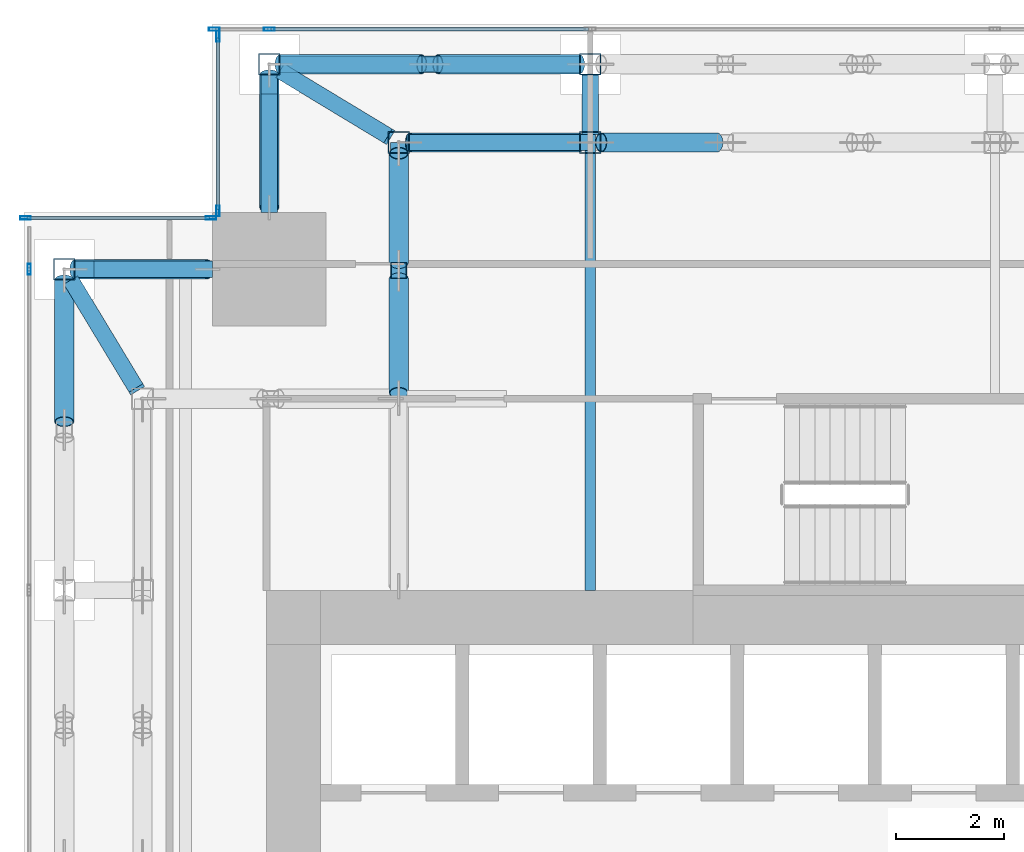
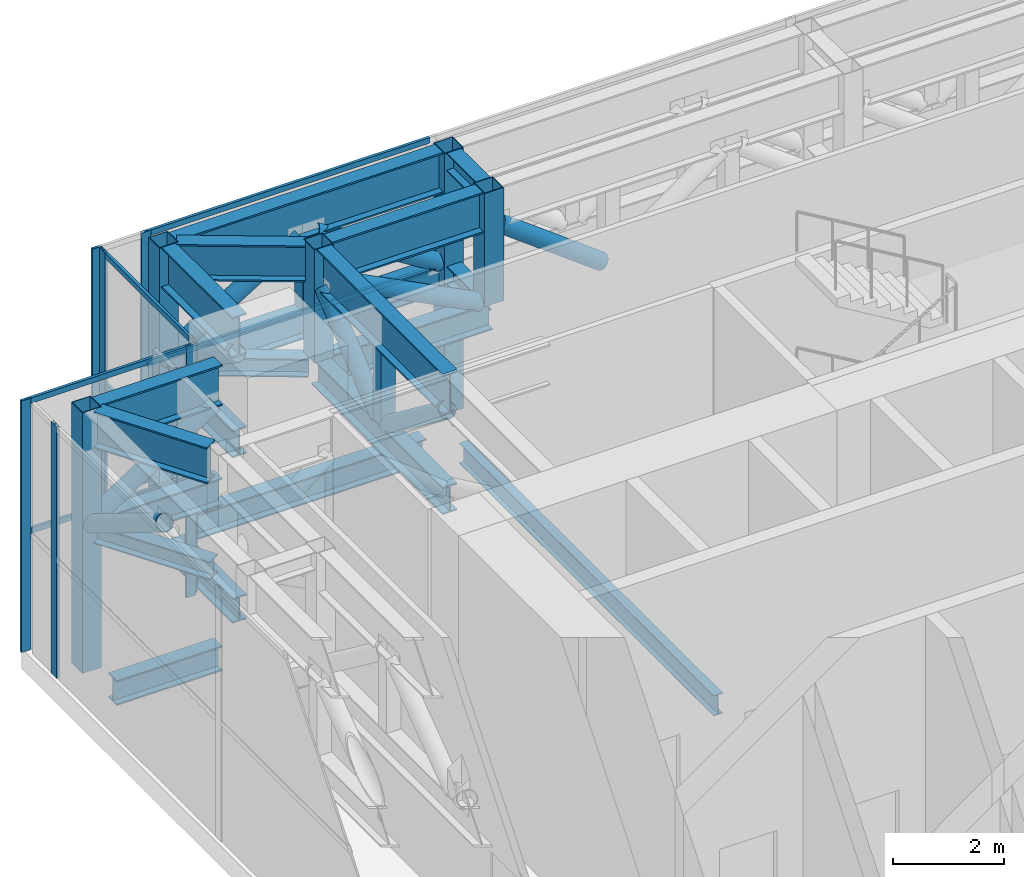
# One storey, part 21 of 47: 39 members, 10 beams, 4 elements without a shape of their own.
"""IFC4 building model written with IfcOpenShell, lengths in metres."""

from ifc_helpers import new_model, si_unit, direction, frame, origin, origin_2d, place, context, subcontext, project, spatial, hollow_rectangle, hollow_circle, i_section, extrude, source, transform, mapped, material, material_profile, profile_set, type_object, element, aggregate, save


model = new_model("IFC4")

# Units and contexts
model_context = context("Model", 3, precision=1e-05, world=origin(), true_north=direction((0.0, 1.0)))
body_context = subcontext(model_context, "Body", "Model", "MODEL_VIEW")
ifc_project = project(units=[si_unit("LENGTHUNIT", "METRE"), si_unit("AREAUNIT", "SQUARE_METRE"), si_unit("VOLUMEUNIT", "CUBIC_METRE"), si_unit("PLANEANGLEUNIT", "RADIAN"), si_unit("MASSUNIT", "GRAM", prefix="KILO")], contexts=[model_context])

# Site, building, storey
site_placement = place(None, origin())
site = spatial("IfcSite", under=ifc_project, at=site_placement, CompositionType="ELEMENT")
building_placement = place(site_placement, origin())
building = spatial("IfcBuilding", under=site, at=building_placement, Name="Khomas Fold Tower", CompositionType="ELEMENT")
storey_placement = place(building_placement, frame((0.0, 0.0, 158.699951171875)))
storey = spatial("IfcBuildingStorey", under=building, at=storey_placement, Name="L34", CompositionType="ELEMENT", Elevation=158.699951171875)

# Beams
ifc_material_1 = material(Name="Steel S355", Category="steel")
ifc_material_profile_1 = material_profile(ifc_material_1, i_section(OverallWidth=0.300048828125, OverallDepth=0.550048828125, WebThickness=0.014892578125, FlangeThickness=0.029052734375, at=origin_2d()), Name="HE 550 B")
ifc_profile_set_1 = profile_set([ifc_material_profile_1], Name="Steel S355")
beam_type_1 = type_object("IfcBeamType", Name="HE 550 B spandrel SB2", PredefinedType="SPANDREL", material=ifc_profile_set_1)
shared_shape_1 = source(origin(), body_context, "Body", "SweptSolid", [
    extrude(i_section(OverallWidth=0.300048828125, OverallDepth=0.550048828125, WebThickness=0.014892578125, FlangeThickness=0.029052734375, at=origin_2d()), origin(), (0.0, 0.0, 1.0), 4.849853515625),
])
beam_1_placement = place(storey_placement, frame((6.60009765625, 51.75, -0.724853515625), z_axis=(1.0, 0.0, 0.0), x_axis=(0.0, 1.0, 0.0)))
element("IfcBeam", 1, at=beam_1_placement, inside=storey, type_object=beam_type_1, Name="SB2", PredefinedType="SPANDREL", context=body_context, shape_type="MappedRepresentation", body=[
    mapped(shared_shape_1, transform((0.0, 0.0, 0.0))),
])
shared_shape_2 = source(origin(), body_context, "Body", "SweptSolid", [
    extrude(i_section(OverallWidth=0.300048828125, OverallDepth=0.550048828125, WebThickness=0.014892578125, FlangeThickness=0.029052734375, at=origin_2d()), origin(), (0.0, 0.0, 1.0), 2.199951171875),
])
for number, where, z_axis, x_axis, name in (
    (2, (6.050048828125, 49.0, -0.724853515625), (0.0, 1.0, 0.0), (-1.0, 0.0, 0.0), "SB2"),
    (3, (2.800048828125, 47.949951171875, -0.724853515625), (1.0, 0.0, 0.0), (0.0, 1.0, 0.0), "SB2"),
):
    element("IfcBeam", number, at=place(storey_placement, frame(where, z_axis=z_axis, x_axis=x_axis)), inside=storey, type_object=beam_type_1, Name=name, PredefinedType="SPANDREL", context=body_context, shape_type="MappedRepresentation", body=[
        mapped(shared_shape_2, transform((0.0, 0.0, 0.0))),
    ])
ifc_material_2 = material(Name="Steel S355", Category="steel")
ifc_material_profile_2 = material_profile(ifc_material_2, i_section(OverallWidth=0.18994140625, OverallDepth=0.449951171875, WebThickness=0.009521484375, FlangeThickness=0.0146484375, at=origin_2d()), Name="IPE 450")
ifc_profile_set_2 = profile_set([ifc_material_profile_2], Name="Steel S355")
beam_type_2 = type_object("IfcBeamType", Name="IPE 450 beam JB4", PredefinedType="BEAM", material=ifc_profile_set_2)
shared_shape_3 = source(origin(), body_context, "Body", "SweptSolid", [
    extrude(i_section(OverallWidth=0.18994140625, OverallDepth=0.449951171875, WebThickness=0.009521484375, FlangeThickness=0.0146484375, at=origin_2d()), origin(), (0.0, 0.0, 1.0), 9.199951171875),
])
beam_2_placement = place(storey_placement, frame((12.0, 42.0, -0.675048828125), z_axis=(0.0, 1.0, 0.0), x_axis=(-1.0, 0.0, 0.0)))
element("IfcBeam", 4, at=beam_2_placement, inside=storey, type_object=beam_type_2, Name="JB4", PredefinedType="BEAM", context=body_context, shape_type="MappedRepresentation", body=[
    mapped(shared_shape_3, transform((0.0, 0.0, 0.0))),
])

# Members
ifc_material_3 = material(Name="Steel S460M", Category="steel")
ifc_material_profile_3 = material_profile(ifc_material_3, i_section(OverallWidth=0.300048828125, OverallDepth=0.89990234375, WebThickness=0.0185546875, FlangeThickness=0.034912109375, at=origin_2d()), Name="HE 900 B")
ifc_profile_set_3 = profile_set([ifc_material_profile_3], Name="Steel S460M")
member_type_1 = type_object("IfcMemberType", Name="BELT TRUSS 2 TOP CHORD HE 900 B", PredefinedType="CHORD", material=ifc_profile_set_3)
shared_shape_4 = source(origin(), body_context, "Body", "SweptSolid", [
    extrude(i_section(OverallWidth=0.300048828125, OverallDepth=0.89990234375, WebThickness=0.0185546875, FlangeThickness=0.034912109375, at=origin_2d()), origin(), (0.0, 0.0, 1.0), 5.550048828125),
])
member_1_placement = place(storey_placement, frame((11.800048828125, 51.75, 5.300048828125), z_axis=(-1.0, 0.0, 0.0), x_axis=(0.0, -1.0, 0.0)))
element("IfcMember", 5, at=member_1_placement, inside=storey, type_object=member_type_1, Name="BT2-CT", PredefinedType="CHORD", context=body_context, shape_type="MappedRepresentation", body=[
    mapped(shared_shape_4, transform((0.0, 0.0, 0.0))),
])
ifc_material_4 = material(Name="Steel S355", Category="steel")
ifc_material_profile_4 = material_profile(ifc_material_4, i_section(OverallWidth=0.300048828125, OverallDepth=0.60009765625, WebThickness=0.015380859375, FlangeThickness=0.030029296875, at=origin_2d()), Name="HE 600 B")
ifc_profile_set_4 = profile_set([ifc_material_profile_4], Name="Steel S355")
member_type_2 = type_object("IfcMemberType", Name="BELT TRUSS 2 BOTTOM CHORD SHORT HE 600 B", PredefinedType="CHORD", material=ifc_profile_set_4)
shared_shape_5 = source(origin(), body_context, "Body", "SweptSolid", [
    extrude(i_section(OverallWidth=0.300048828125, OverallDepth=0.60009765625, WebThickness=0.015380859375, FlangeThickness=0.030029296875, at=origin_2d()), origin(), (0.0, 0.0, 1.0), 5.550048828125),
])
member_2_placement = place(storey_placement, frame((11.800048828125, 51.75, 2.949951171875), z_axis=(-1.0, 0.0, 0.0), x_axis=(0.0, -1.0, 0.0)))
element("IfcMember", 6, at=member_2_placement, inside=storey, type_object=member_type_2, Name="BT2-CBS", PredefinedType="CHORD", context=body_context, shape_type="MappedRepresentation", body=[
    mapped(shared_shape_5, transform((0.0, 0.0, 0.0))),
])
ifc_material_5 = material(Name="Steel S355", Category="steel")
ifc_material_profile_5 = material_profile(ifc_material_5, hollow_circle(Radius=0.177734375, WallThickness=0.01611328125, at=origin_2d()), Name="CHS 355.6x16")
ifc_profile_set_5 = profile_set([ifc_material_profile_5], Name="Steel S355")
member_type_3 = type_object("IfcMemberType", Name="BELT TRUSS 2 DIAGONAL CHS 355.6x16", PredefinedType="BRACE", material=ifc_profile_set_5)
shared_shape_6 = source(origin(), body_context, "Body", "SweptSolid", [
    extrude(hollow_circle(Radius=0.177734375, WallThickness=0.01611328125, at=origin_2d()), origin(), (0.0, 0.0, 1.0), 3.079345703125),
])
for number, where, z_axis, x_axis, name in (
    (7, (11.800048828125, 51.75, 3.2451171875), (-0.852457646083, 0.0, 0.522796290762), (0.0, -1.0, 0.0), "BT2-D"),
    (8, (8.875, 51.75, 4.85498046875), (-0.852457646083, 0.0, -0.522796290762), (0.0, -1.0, 0.0), "BT2-D"),
    (9, (2.25, 47.75, 3.2451171875), (0.0, -0.852457646083, 0.522796290762), (1.0, 0.0, 0.0), "BT2-D"),
):
    element("IfcMember", number, at=place(storey_placement, frame(where, z_axis=z_axis, x_axis=x_axis)), inside=storey, type_object=member_type_3, Name=name, PredefinedType="BRACE", context=body_context, shape_type="MappedRepresentation", body=[
        mapped(shared_shape_6, transform((0.0, 0.0, 0.0))),
    ])
ifc_material_6 = material(Name="Steel S355", Category="steel")
ifc_material_profile_6 = material_profile(ifc_material_6, hollow_rectangle(XDim=0.300048828125, YDim=0.300048828125, WallThickness=0.012451171875, at=origin_2d()), Name="SHS 300x300x12.5")
ifc_profile_set_6 = profile_set([ifc_material_profile_6], Name="Steel S355")
member_type_4 = type_object("IfcMemberType", Name="BELT TRUSS 2 MID POST SHS 300x300x12.5", PredefinedType="POST", material=ifc_profile_set_6)
shared_shape_7 = source(origin(), body_context, "Body", "SweptSolid", [
    extrude(hollow_rectangle(XDim=0.300048828125, YDim=0.300048828125, WallThickness=0.012451171875, at=origin_2d()), origin(), (0.0, 0.0, 1.0), 1.60009765625),
])
for number, where, z_axis, x_axis, name in (
    (10, (9.02490234375, 51.75, 3.25), (0.0, 0.0, 1.0), (1.0, 0.0, 0.0), "BT2-M"),
    (11, (8.449951171875, 47.925048828125, 3.25), (0.0, 0.0, 1.0), (1.0, 0.0, 0.0), "BT2-M"),
):
    element("IfcMember", number, at=place(storey_placement, frame(where, z_axis=z_axis, x_axis=x_axis)), inside=storey, type_object=member_type_4, Name=name, PredefinedType="POST", context=body_context, shape_type="MappedRepresentation", body=[
        mapped(shared_shape_7, transform((0.0, 0.0, 0.0))),
    ])
shared_shape_8 = source(origin(), body_context, "Body", "SweptSolid", [
    extrude(hollow_circle(Radius=0.177734375, WallThickness=0.01611328125, at=origin_2d()), origin(), (0.0, 0.0, 1.0), 2.68603515625),
])
member_3_placement = place(storey_placement, frame((14.35009765625, 50.300048828125, 3.2451171875), z_axis=(-0.800490552016, 0.0, 0.599345372998), x_axis=(0.0, -1.0, 0.0)))
element("IfcMember", 12, at=member_3_placement, inside=storey, type_object=member_type_3, Name="BT2-D", PredefinedType="BRACE", context=body_context, shape_type="MappedRepresentation", body=[
    mapped(shared_shape_8, transform((0.0, 0.0, 0.0))),
])
ifc_material_7 = material(Name="Steel S460M", Category="steel")
ifc_material_profile_7 = material_profile(ifc_material_7, i_section(OverallWidth=0.300048828125, OverallDepth=0.89990234375, WebThickness=0.0185546875, FlangeThickness=0.034912109375, at=origin_2d()), Name="HE 900 B")
ifc_profile_set_7 = profile_set([ifc_material_profile_7], Name="Steel S460M")
member_type_5 = type_object("IfcMemberType", Name="BELT TRUSS 2 TOP CHORD SHORTER HE 900 B", PredefinedType="CHORD", material=ifc_profile_set_7)
shared_shape_9 = source(origin(), body_context, "Body", "SweptSolid", [
    extrude(i_section(OverallWidth=0.300048828125, OverallDepth=0.89990234375, WebThickness=0.0185546875, FlangeThickness=0.034912109375, at=origin_2d()), origin(), (0.0, 0.0, 1.0), 2.550048828125),
])
for number, where, z_axis, x_axis, name in (
    (13, (6.050048828125, 51.550048828125, 5.300048828125), (0.0, -1.0, 0.0), (1.0, 0.0, 0.0), "BT2-CTSS"),
    (14, (2.449951171875, 47.949951171875, 5.300048828125), (1.0, 0.0, 0.0), (0.0, 1.0, 0.0), "BT2-CTSS"),
):
    element("IfcMember", number, at=place(storey_placement, frame(where, z_axis=z_axis, x_axis=x_axis)), inside=storey, type_object=member_type_5, Name=name, PredefinedType="CHORD", context=body_context, shape_type="MappedRepresentation", body=[
        mapped(shared_shape_9, transform((0.0, 0.0, 0.0))),
    ])
ifc_material_8 = material(Name="Steel S355", Category="steel")
ifc_material_profile_8 = material_profile(ifc_material_8, i_section(OverallWidth=0.300048828125, OverallDepth=0.60009765625, WebThickness=0.015380859375, FlangeThickness=0.030029296875, at=origin_2d()), Name="HE 600 B")
ifc_profile_set_8 = profile_set([ifc_material_profile_8], Name="Steel S355")
member_type_6 = type_object("IfcMemberType", Name="BELT TRUSS 2 BOTTOM CHORD SHORTER HE 600 B", PredefinedType="CHORD", material=ifc_profile_set_8)
shared_shape_10 = source(origin(), body_context, "Body", "SweptSolid", [
    extrude(i_section(OverallWidth=0.300048828125, OverallDepth=0.60009765625, WebThickness=0.015380859375, FlangeThickness=0.030029296875, at=origin_2d()), origin(), (0.0, 0.0, 1.0), 2.550048828125),
])
for number, where, z_axis, x_axis, name in (
    (15, (6.050048828125, 51.550048828125, 2.949951171875), (0.0, -1.0, 0.0), (1.0, 0.0, 0.0), "BT2-CBSS"),
    (16, (2.449951171875, 47.949951171875, 2.949951171875), (1.0, 0.0, 0.0), (0.0, 1.0, 0.0), "BT2-CBSS"),
):
    element("IfcMember", number, at=place(storey_placement, frame(where, z_axis=z_axis, x_axis=x_axis)), inside=storey, type_object=member_type_6, Name=name, PredefinedType="CHORD", context=body_context, shape_type="MappedRepresentation", body=[
        mapped(shared_shape_10, transform((0.0, 0.0, 0.0))),
    ])
shared_shape_11 = source(origin(), body_context, "Body", "SweptSolid", [
    extrude(hollow_circle(Radius=0.177734375, WallThickness=0.01611328125, at=origin_2d()), origin(), (0.0, 0.0, 1.0), 2.936279296875),
])
for number, where, z_axis, x_axis, name in (
    (17, (6.050048828125, 51.550048828125, 3.2451171875), (0.0, -0.836298117849, 0.548274984002), (1.0, 0.0, 0.0), "BT2-D"),
    (18, (2.449951171875, 47.949951171875, 3.2451171875), (0.836298117849, 0.0, 0.548274984002), (0.0, 1.0, 0.0), "BT2-D"),
):
    element("IfcMember", number, at=place(storey_placement, frame(where, z_axis=z_axis, x_axis=x_axis)), inside=storey, type_object=member_type_3, Name=name, PredefinedType="BRACE", context=body_context, shape_type="MappedRepresentation", body=[
        mapped(shared_shape_11, transform((0.0, 0.0, 0.0))),
    ])
ifc_material_9 = material(Name="Steel S460M", Category="steel")
ifc_material_profile_9 = material_profile(ifc_material_9, i_section(OverallWidth=0.300048828125, OverallDepth=0.89990234375, WebThickness=0.0185546875, FlangeThickness=0.034912109375, at=origin_2d()), Name="HE 900 B")
ifc_profile_set_9 = profile_set([ifc_material_profile_9], Name="Steel S460M")
member_type_7 = type_object("IfcMemberType", Name="BELT TRUSS 2 TOP CHORD SHORT HE 900 B", PredefinedType="CHORD", material=ifc_profile_set_9)
shared_shape_12 = source(origin(), body_context, "Body", "SweptSolid", [
    extrude(i_section(OverallWidth=0.300048828125, OverallDepth=0.89990234375, WebThickness=0.0185546875, FlangeThickness=0.034912109375, at=origin_2d()), origin(), (0.0, 0.0, 1.0), 3.150146484375),
])
member_4_placement = place(storey_placement, frame((11.800048828125, 50.300048828125, 5.300048828125), z_axis=(-1.0, 0.0, 0.0), x_axis=(0.0, -1.0, 0.0)))
element("IfcMember", 19, at=member_4_placement, inside=storey, type_object=member_type_7, Name="BT2-CTS", PredefinedType="CHORD", context=body_context, shape_type="MappedRepresentation", body=[
    mapped(shared_shape_12, transform((0.0, 0.0, 0.0))),
])
shared_shape_13 = source(origin(), body_context, "Body", "SweptSolid", [
    extrude(i_section(OverallWidth=0.300048828125, OverallDepth=0.60009765625, WebThickness=0.015380859375, FlangeThickness=0.030029296875, at=origin_2d()), origin(), (0.0, 0.0, 1.0), 3.39990234375),
])
member_5_placement = place(storey_placement, frame((12.0, 50.300048828125, 2.949951171875), z_axis=(-1.0, 0.0, 0.0), x_axis=(0.0, -1.0, 0.0)))
element("IfcMember", 20, at=member_5_placement, inside=storey, type_object=member_type_6, Name="BT2-CBSS", PredefinedType="CHORD", context=body_context, shape_type="MappedRepresentation", body=[
    mapped(shared_shape_13, transform((0.0, 0.0, 0.0))),
])
shared_shape_14 = source(origin(), body_context, "Body", "SweptSolid", [
    extrude(hollow_circle(Radius=0.177734375, WallThickness=0.01611328125, at=origin_2d()), origin(), (0.0, 0.0, 1.0), 3.53759765625),
])
member_6_placement = place(storey_placement, frame((11.800048828125, 50.300048828125, 3.2451171875), z_axis=(-0.890458918819, 0.0, 0.455063637193), x_axis=(0.0, -1.0, 0.0)))
element("IfcMember", 21, at=member_6_placement, inside=storey, type_object=member_type_3, Name="BT2-D", PredefinedType="BRACE", context=body_context, shape_type="MappedRepresentation", body=[
    mapped(shared_shape_14, transform((0.0, 0.0, 0.0))),
])
shared_shape_15 = source(origin(), body_context, "Body", "SweptSolid", [
    extrude(i_section(OverallWidth=0.300048828125, OverallDepth=0.89990234375, WebThickness=0.0185546875, FlangeThickness=0.034912109375, at=origin_2d()), origin(), (0.0, 0.0, 1.0), 4.550048828125),
])
member_7_placement = place(storey_placement, frame((8.449951171875, 50.10009765625, 5.300048828125), z_axis=(0.0, -1.0, 0.0), x_axis=(1.0, 0.0, 0.0)))
element("IfcMember", 22, at=member_7_placement, inside=storey, type_object=member_type_7, Name="BT2-CTS", PredefinedType="CHORD", context=body_context, shape_type="MappedRepresentation", body=[
    mapped(shared_shape_15, transform((0.0, 0.0, 0.0))),
])
shared_shape_16 = source(origin(), body_context, "Body", "SweptSolid", [
    extrude(i_section(OverallWidth=0.300048828125, OverallDepth=0.60009765625, WebThickness=0.015380859375, FlangeThickness=0.030029296875, at=origin_2d()), origin(), (0.0, 0.0, 1.0), 4.75),
])
member_8_placement = place(storey_placement, frame((8.449951171875, 50.300048828125, 2.949951171875), z_axis=(0.0, -1.0, 0.0), x_axis=(1.0, 0.0, 0.0)))
element("IfcMember", 23, at=member_8_placement, inside=storey, type_object=member_type_2, Name="BT2-CBS", PredefinedType="CHORD", context=body_context, shape_type="MappedRepresentation", body=[
    mapped(shared_shape_16, transform((0.0, 0.0, 0.0))),
])
shared_shape_17 = source(origin(), body_context, "Body", "SweptSolid", [
    extrude(hollow_circle(Radius=0.177734375, WallThickness=0.01611328125, at=origin_2d()), origin(), (0.0, 0.0, 1.0), 2.587158203125),
])
member_9_placement = place(storey_placement, frame((8.449951171875, 50.10009765625, 4.85498046875), z_axis=(0.0, -0.782798501994, -0.622275264876), x_axis=(1.0, 0.0, 0.0)))
element("IfcMember", 24, at=member_9_placement, inside=storey, type_object=member_type_3, Name="BT2-D", PredefinedType="BRACE", context=body_context, shape_type="MappedRepresentation", body=[
    mapped(shared_shape_17, transform((0.0, 0.0, 0.0))),
])
shared_shape_18 = source(origin(), body_context, "Body", "SweptSolid", [
    extrude(hollow_circle(Radius=0.177734375, WallThickness=0.01611328125, at=origin_2d()), origin(), (0.0, 0.0, 1.0), 2.662841796875),
])
member_10_placement = place(storey_placement, frame((8.449951171875, 47.77490234375, 3.2451171875), z_axis=(0.0, -0.79655424277, 0.604567066854), x_axis=(1.0, 0.0, 0.0)))
element("IfcMember", 25, at=member_10_placement, inside=storey, type_object=member_type_3, Name="BT2-D", PredefinedType="BRACE", context=body_context, shape_type="MappedRepresentation", body=[
    mapped(shared_shape_18, transform((0.0, 0.0, 0.0))),
])
ifc_material_10 = material(Name="Steel S460M", Category="steel")
ifc_material_profile_10 = material_profile(ifc_material_10, hollow_rectangle(XDim=0.39990234375, YDim=0.39990234375, WallThickness=0.01611328125, at=origin_2d()), Name="SHS 400x400x16")
ifc_profile_set_10 = profile_set([ifc_material_profile_10], Name="Steel S460M")
member_type_8 = type_object("IfcMemberType", Name="BELT TRUSS 2 COLUMN POST SHS 400x400x16", PredefinedType="POST", material=ifc_profile_set_10)
shared_shape_19 = source(origin(), body_context, "Body", "SweptSolid", [
    extrude(hollow_rectangle(XDim=0.39990234375, YDim=0.39990234375, WallThickness=0.01611328125, at=origin_2d()), origin(), (0.0, 0.0, 1.0), 5.75),
])
for number, where, z_axis, x_axis, name in (
    (26, (12.0, 51.75, 0.0), (0.0, 0.0, 1.0), (1.0, 0.0, 0.0), "BT2-P"),
    (27, (6.050048828125, 51.75, 0.0), (0.0, 0.0, 1.0), (1.0, 0.0, 0.0), "BT2-P"),
    (28, (2.25, 47.949951171875, 0.0), (0.0, 0.0, 1.0), (1.0, 0.0, 0.0), "BT2-P"),
):
    element("IfcMember", number, at=place(storey_placement, frame(where, z_axis=z_axis, x_axis=x_axis)), inside=storey, type_object=member_type_8, Name=name, PredefinedType="POST", context=body_context, shape_type="MappedRepresentation", body=[
        mapped(shared_shape_19, transform((0.0, 0.0, 0.0))),
    ])
ifc_material_11 = material(Name="Steel S460M", Category="steel")
ifc_material_profile_11 = material_profile(ifc_material_11, hollow_rectangle(XDim=0.39990234375, YDim=0.39990234375, WallThickness=0.01611328125, at=origin_2d()), Name="SHS 400x400x16")
ifc_profile_set_11 = profile_set([ifc_material_profile_11], Name="Steel S460M")
member_type_9 = type_object("IfcMemberType", Name="BELT TRUSS 2 COLUMN POST SHORT SHS 400x400x16", PredefinedType="POST", material=ifc_profile_set_11)
shared_shape_20 = source(origin(), body_context, "Body", "SweptSolid", [
    extrude(hollow_rectangle(XDim=0.39990234375, YDim=0.39990234375, WallThickness=0.01611328125, at=origin_2d()), origin(), (0.0, 0.0, 1.0), 2.5),
])
for number, where, z_axis, x_axis, name in (
    (29, (12.0, 50.300048828125, 3.25), (0.0, 0.0, 1.0), (1.0, 0.0, 0.0), "BT2-PS"),
    (30, (8.449951171875, 50.300048828125, 3.25), (0.0, 0.0, 1.0), (1.0, 0.0, 0.0), "BT2-PS"),
):
    element("IfcMember", number, at=place(storey_placement, frame(where, z_axis=z_axis, x_axis=x_axis)), inside=storey, type_object=member_type_9, Name=name, PredefinedType="POST", context=body_context, shape_type="MappedRepresentation", body=[
        mapped(shared_shape_20, transform((0.0, 0.0, 0.0))),
    ])

# Beams
ifc_material_12 = material(Name="Steel S460M", Category="steel")
ifc_material_profile_12 = material_profile(ifc_material_12, i_section(OverallWidth=0.300048828125, OverallDepth=0.800048828125, WebThickness=0.017578125, FlangeThickness=0.032958984375, at=origin_2d()), Name="HE 800 B")
ifc_profile_set_12 = profile_set([ifc_material_profile_12], Name="Steel S460M")
beam_type_3 = type_object("IfcBeamType", Name="BELT TRUSS 2 TOP TRANSFER STRUT HE 800 B", PredefinedType="BEAM", material=ifc_profile_set_12)
shared_shape_21 = source(origin(), body_context, "Body", "SweptSolid", [
    extrude(i_section(OverallWidth=0.300048828125, OverallDepth=0.800048828125, WebThickness=0.017578125, FlangeThickness=0.032958984375, at=origin_2d()), origin(), (0.0, 0.0, 1.0), 2.336669921875),
])
for number, where, z_axis, x_axis, name in (
    (31, (8.25, 50.4208984375, 5.35009765625), (-0.855930956657, 0.517090125061, 0.0), (-0.517090125061, -0.855930956657, 0.0), "BT2-STD"),
    (32, (3.5791015625, 45.75, 5.35009765625), (-0.517090125061, 0.855930956657, 0.0), (-0.855930956657, -0.517090125061, 0.0), "BT2-STD"),
):
    element("IfcBeam", number, at=place(storey_placement, frame(where, z_axis=z_axis, x_axis=x_axis)), inside=storey, type_object=beam_type_3, Name=name, PredefinedType="BEAM", context=body_context, shape_type="MappedRepresentation", body=[
        mapped(shared_shape_21, transform((0.0, 0.0, 0.0))),
    ])
ifc_material_13 = material(Name="Steel S355", Category="steel")
ifc_material_profile_13 = material_profile(ifc_material_13, i_section(OverallWidth=0.300048828125, OverallDepth=0.39990234375, WebThickness=0.013427734375, FlangeThickness=0.02392578125, at=origin_2d()), Name="HE 400 B")
ifc_profile_set_13 = profile_set([ifc_material_profile_13], Name="Steel S355")
beam_type_4 = type_object("IfcBeamType", Name="BELT TRUSS 2 BOTTOM STRUT LONG HE 400 B", PredefinedType="BEAM", material=ifc_profile_set_13)
shared_shape_22 = source(origin(), body_context, "Body", "SweptSolid", [
    extrude(i_section(OverallWidth=0.300048828125, OverallDepth=0.39990234375, WebThickness=0.013427734375, FlangeThickness=0.02392578125, at=origin_2d()), origin(), (0.0, 0.0, 1.0), 2.39501953125),
])
for number, where, z_axis, x_axis, name in (
    (33, (8.300048828125, 50.390625, 3.050048828125), (-0.855924001063, 0.51710163837, 0.0), (-0.51710163837, -0.855924001063, 0.0), "BT2-SBL"),
    (34, (3.609375, 45.699951171875, 3.050048828125), (-0.51710163837, 0.855924001063, 0.0), (-0.855924001063, -0.51710163837, 0.0), "BT2-SBL"),
):
    element("IfcBeam", number, at=place(storey_placement, frame(where, z_axis=z_axis, x_axis=x_axis)), inside=storey, type_object=beam_type_4, Name=name, PredefinedType="BEAM", context=body_context, shape_type="MappedRepresentation", body=[
        mapped(shared_shape_22, transform((0.0, 0.0, 0.0))),
    ])
ifc_material_14 = material(Name="Steel S355", Category="steel")
ifc_material_profile_14 = material_profile(ifc_material_14, i_section(OverallWidth=0.300048828125, OverallDepth=0.39990234375, WebThickness=0.013427734375, FlangeThickness=0.02392578125, at=origin_2d()), Name="HE 400 B")
ifc_profile_set_14 = profile_set([ifc_material_profile_14], Name="Steel S355")
beam_type_5 = type_object("IfcBeamType", Name="BELT TRUSS 2 TOP STRUT HE 400 B", PredefinedType="BEAM", material=ifc_profile_set_14)
shared_shape_23 = source(origin(), body_context, "Body", "SweptSolid", [
    extrude(i_section(OverallWidth=0.300048828125, OverallDepth=0.39990234375, WebThickness=0.013427734375, FlangeThickness=0.02392578125, at=origin_2d()), origin(), (0.0, 0.0, 1.0), 1.050048828125),
])
beam_3_placement = place(storey_placement, frame((12.0, 50.5, 5.550048828125), z_axis=(0.0, 1.0, 0.0), x_axis=(-1.0, 0.0, 0.0)))
element("IfcBeam", 35, at=beam_3_placement, inside=storey, type_object=beam_type_5, Name="BT2-ST", PredefinedType="BEAM", context=body_context, shape_type="MappedRepresentation", body=[
    mapped(shared_shape_23, transform((0.0, 0.0, 0.0))),
])
ifc_material_15 = material(Name="Steel S355", Category="steel")
ifc_material_profile_15 = material_profile(ifc_material_15, i_section(OverallWidth=0.300048828125, OverallDepth=0.39990234375, WebThickness=0.013427734375, FlangeThickness=0.02392578125, at=origin_2d()), Name="HE 400 B")
ifc_profile_set_15 = profile_set([ifc_material_profile_15], Name="Steel S355")
beam_type_6 = type_object("IfcBeamType", Name="BELT TRUSS 2 BOTTOM STRUT HE 400 B", PredefinedType="BEAM", material=ifc_profile_set_15)
shared_shape_24 = source(origin(), body_context, "Body", "SweptSolid", [
    extrude(i_section(OverallWidth=0.300048828125, OverallDepth=0.39990234375, WebThickness=0.013427734375, FlangeThickness=0.02392578125, at=origin_2d()), origin(), (0.0, 0.0, 1.0), 1.10009765625),
])
beam_4_placement = place(storey_placement, frame((12.0, 50.449951171875, 3.050048828125), z_axis=(0.0, 1.0, 0.0), x_axis=(-1.0, 0.0, 0.0)))
element("IfcBeam", 36, at=beam_4_placement, inside=storey, type_object=beam_type_6, Name="BT2-SB", PredefinedType="BEAM", context=body_context, shape_type="MappedRepresentation", body=[
    mapped(shared_shape_24, transform((0.0, 0.0, 0.0))),
])

# Curtain wall, members
ifc_material_16 = material(Name="Aluminium framed double glazing", Category="aluminium")
curtain_wall_type = type_object("IfcCurtainWallType", Name="SK-Unitised clear-glass wall, growing floors CW1", PredefinedType="NOTDEFINED", material=ifc_material_16)
curtain_wall_1_placement = place(storey_placement, origin())
curtain_wall_1 = element("IfcCurtainWall", 37, at=curtain_wall_1_placement, inside=storey, type_object=curtain_wall_type, Name="CW1 run L34 15-0", PredefinedType="NOTDEFINED")
ifc_material_17 = material(Name="Aluminium", Category="aluminium")
ifc_material_profile_16 = material_profile(ifc_material_17, hollow_rectangle(XDim=0.06005859375, YDim=0.1201171875, WallThickness=0.00390625, at=origin_2d()), Name="SK-Unitised clear-glass wall, growing floors transom CW1-T")
ifc_profile_set_16 = profile_set([ifc_material_profile_16], Name="Aluminium")
member_type_10 = type_object("IfcMemberType", Name="SK-Unitised clear-glass wall, growing floors transom CW1-T", PredefinedType="USERDEFINED", material=ifc_profile_set_16)
shared_shape_25 = source(origin(), body_context, "Body", "SweptSolid", [
    extrude(hollow_rectangle(XDim=0.06005859375, YDim=0.1201171875, WallThickness=0.00390625, at=origin_2d()), origin(), (0.0, 0.0, 1.0), 5.889892578125),
])
member_11_placement = place(storey_placement, frame((11.969970703125, 52.39990234375, 5.489990234375), z_axis=(-1.0, 0.0, 0.0), x_axis=(0.0, -1.0, 0.0)))
member_11 = element("IfcMember", 38, at=member_11_placement, type_object=member_type_10, Name="CW1 transom 4", ObjectType="TRANSOM", PredefinedType="USERDEFINED", context=body_context, shape_type="MappedRepresentation", body=[
    mapped(shared_shape_25, transform((0.0, 0.0, 0.0))),
])
member_12_placement = place(storey_placement, frame((11.969970703125, 52.39990234375, 2.6171875), z_axis=(-1.0, 0.0, 0.0), x_axis=(0.0, -1.0, 0.0)))
member_12 = element("IfcMember", 39, at=member_12_placement, type_object=member_type_10, Name="CW1 transom 4 (truss floor)", ObjectType="TRANSOM", PredefinedType="USERDEFINED", context=body_context, shape_type="MappedRepresentation", body=[
    mapped(shared_shape_25, transform((0.0, 0.0, 0.0))),
])

curtain_wall_2_placement = place(storey_placement, origin())
curtain_wall_2 = element("IfcCurtainWall", 40, at=curtain_wall_2_placement, inside=storey, type_object=curtain_wall_type, Name="CW1 corner return L34 16", PredefinedType="NOTDEFINED")
shared_shape_26 = source(origin(), body_context, "Body", "SweptSolid", [
    extrude(hollow_rectangle(XDim=0.06005859375, YDim=0.1201171875, WallThickness=0.00390625, at=origin_2d()), origin(), (0.0, 0.0, 1.0), 3.179931640625),
])
member_13_placement = place(storey_placement, frame((5.10009765625, 52.239990234375, 5.489990234375), z_axis=(0.0, -1.0, 0.0), x_axis=(1.0, 0.0, 0.0)))
member_13 = element("IfcMember", 41, at=member_13_placement, type_object=member_type_10, Name="CW1 transom 1", ObjectType="TRANSOM", PredefinedType="USERDEFINED", context=body_context, shape_type="MappedRepresentation", body=[
    mapped(shared_shape_26, transform((0.0, 0.0, 0.0))),
])
member_14_placement = place(storey_placement, frame((5.10009765625, 52.239990234375, 2.6171875), z_axis=(0.0, -1.0, 0.0), x_axis=(1.0, 0.0, 0.0)))
member_14 = element("IfcMember", 42, at=member_14_placement, type_object=member_type_10, Name="CW1 transom 1 (truss floor)", ObjectType="TRANSOM", PredefinedType="USERDEFINED", context=body_context, shape_type="MappedRepresentation", body=[
    mapped(shared_shape_26, transform((0.0, 0.0, 0.0))),
])

curtain_wall_3_placement = place(storey_placement, origin())
curtain_wall_3 = element("IfcCurtainWall", 43, at=curtain_wall_3_placement, inside=storey, type_object=curtain_wall_type, Name="CW1 corner return L34 17", PredefinedType="NOTDEFINED")
shared_shape_27 = source(origin(), body_context, "Body", "SweptSolid", [
    extrude(hollow_rectangle(XDim=0.06005859375, YDim=0.1201171875, WallThickness=0.00390625, at=origin_2d()), origin(), (0.0, 0.0, 1.0), 3.3798828125),
])
member_15_placement = place(storey_placement, frame((4.93994140625, 48.89990234375, 5.489990234375), z_axis=(-1.0, 0.0, 0.0), x_axis=(0.0, -1.0, 0.0)))
member_15 = element("IfcMember", 44, at=member_15_placement, type_object=member_type_10, Name="CW1 transom 1", ObjectType="TRANSOM", PredefinedType="USERDEFINED", context=body_context, shape_type="MappedRepresentation", body=[
    mapped(shared_shape_27, transform((0.0, 0.0, 0.0))),
])
member_16_placement = place(storey_placement, frame((4.93994140625, 48.89990234375, 2.6171875), z_axis=(-1.0, 0.0, 0.0), x_axis=(0.0, -1.0, 0.0)))
member_16 = element("IfcMember", 45, at=member_16_placement, type_object=member_type_10, Name="CW1 transom 1 (truss floor)", ObjectType="TRANSOM", PredefinedType="USERDEFINED", context=body_context, shape_type="MappedRepresentation", body=[
    mapped(shared_shape_27, transform((0.0, 0.0, 0.0))),
])

# Member
ifc_material_18 = material(Name="Aluminium", Category="aluminium")
ifc_material_profile_17 = material_profile(ifc_material_18, hollow_rectangle(XDim=0.06005859375, YDim=0.199951171875, WallThickness=0.00390625, at=origin_2d()), Name="SK-Unitised clear-glass wall, growing floors mullion CW1-M")
ifc_profile_set_17 = profile_set([ifc_material_profile_17], Name="Aluminium")
member_type_11 = type_object("IfcMemberType", Name="SK-Unitised clear-glass wall, growing floors mullion CW1-M", PredefinedType="MULLION", material=ifc_profile_set_17)
shared_shape_28 = source(origin(), body_context, "Body", "SweptSolid", [
    extrude(hollow_rectangle(XDim=0.06005859375, YDim=0.199951171875, WallThickness=0.00390625, at=origin_2d()), origin(), (0.0, 0.0, 1.0), 5.550048828125),
])
member_17_placement = place(storey_placement, frame((6.050048828125, 52.39990234375, 0.0), z_axis=(0.0, 0.0, 1.0), x_axis=(0.0, -1.0, 0.0)))
member_17 = element("IfcMember", 46, at=member_17_placement, type_object=member_type_11, Name="CW1 mullion 5", PredefinedType="MULLION", context=body_context, shape_type="MappedRepresentation", body=[
    mapped(shared_shape_28, transform((0.0, 0.0, 0.0))),
])

member_18_placement = place(storey_placement, frame((5.030029296875, 52.39990234375, 0.0), z_axis=(0.0, 0.0, 1.0), x_axis=(0.0, -1.0, 0.0)))
member_18 = element("IfcMember", 47, at=member_18_placement, type_object=member_type_11, Name="CW1 mullion 6", PredefinedType="MULLION", context=body_context, shape_type="MappedRepresentation", body=[
    mapped(shared_shape_28, transform((0.0, 0.0, 0.0))),
])

aggregate(curtain_wall_1, [member_17, member_18, member_11, member_12])

member_19_placement = place(storey_placement, frame((5.10009765625, 52.27001953125, 0.0), z_axis=(0.0, 0.0, 1.0), x_axis=(1.0, 0.0, 0.0)))
member_19 = element("IfcMember", 48, at=member_19_placement, type_object=member_type_11, Name="CW1 mullion 1", PredefinedType="MULLION", context=body_context, shape_type="MappedRepresentation", body=[
    mapped(shared_shape_28, transform((0.0, 0.0, 0.0))),
])

member_20_placement = place(storey_placement, frame((5.10009765625, 49.030029296875, 0.0), z_axis=(0.0, 0.0, 1.0), x_axis=(1.0, 0.0, 0.0)))
member_20 = element("IfcMember", 49, at=member_20_placement, type_object=member_type_11, Name="CW1 mullion 2", PredefinedType="MULLION", context=body_context, shape_type="MappedRepresentation", body=[
    mapped(shared_shape_28, transform((0.0, 0.0, 0.0))),
])

aggregate(curtain_wall_2, [member_19, member_20, member_13, member_14])

member_21_placement = place(storey_placement, frame((4.969970703125, 48.89990234375, 0.0), z_axis=(0.0, 0.0, 1.0), x_axis=(0.0, -1.0, 0.0)))
member_21 = element("IfcMember", 50, at=member_21_placement, type_object=member_type_11, Name="CW1 mullion 1", PredefinedType="MULLION", context=body_context, shape_type="MappedRepresentation", body=[
    mapped(shared_shape_28, transform((0.0, 0.0, 0.0))),
])

member_22_placement = place(storey_placement, frame((1.530029296875, 48.89990234375, 0.0), z_axis=(0.0, 0.0, 1.0), x_axis=(0.0, -1.0, 0.0)))
member_22 = element("IfcMember", 51, at=member_22_placement, type_object=member_type_11, Name="CW1 mullion 2", PredefinedType="MULLION", context=body_context, shape_type="MappedRepresentation", body=[
    mapped(shared_shape_28, transform((0.0, 0.0, 0.0))),
])

aggregate(curtain_wall_3, [member_21, member_22, member_15, member_16])

# Curtain wall, member
curtain_wall_4_placement = place(storey_placement, origin())
curtain_wall_4 = element("IfcCurtainWall", 52, at=curtain_wall_4_placement, inside=storey, type_object=curtain_wall_type, Name="CW1 run L34 18-0", PredefinedType="NOTDEFINED")
member_23_placement = place(storey_placement, frame((1.60009765625, 47.949951171875, 0.0), z_axis=(0.0, 0.0, 1.0), x_axis=(1.0, 0.0, 0.0)))
member_23 = element("IfcMember", 53, at=member_23_placement, type_object=member_type_11, Name="CW1 mullion 2", PredefinedType="MULLION", context=body_context, shape_type="MappedRepresentation", body=[
    mapped(shared_shape_28, transform((0.0, 0.0, 0.0))),
])
aggregate(curtain_wall_4, [member_23])

save(model, "model.ifc")
